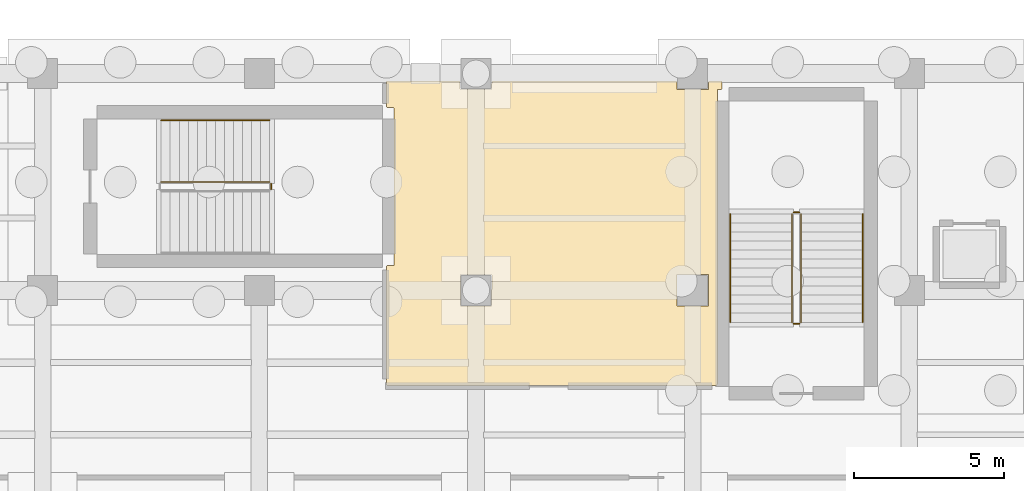
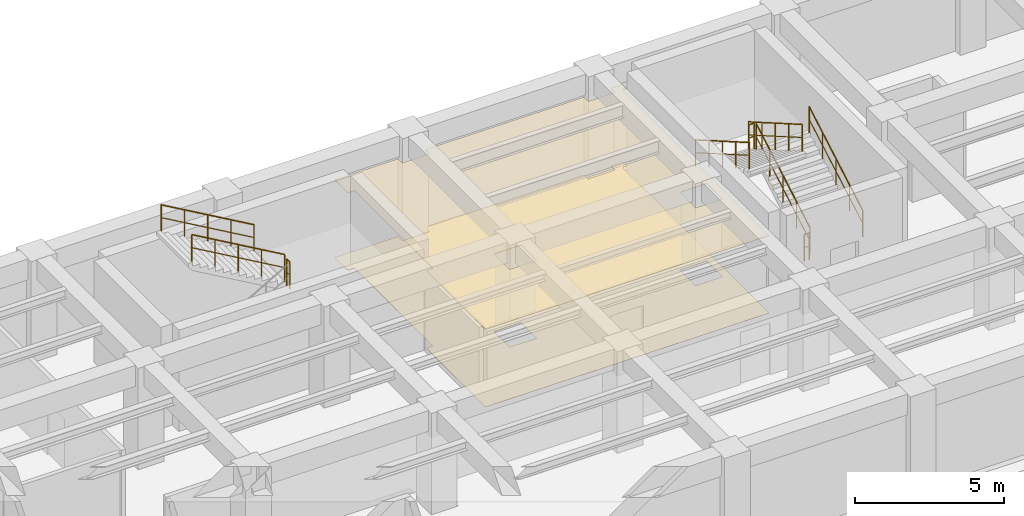
# One storey, part 32 of 34: 9 railings, 2 coverings.
"""IFC4 building model written with IfcOpenShell, lengths in metres."""

import ifcopenshell
import ifcopenshell.guid

model = None  # the IFC model being written
_history = None  # IfcOwnerHistory: only IFC2X3 demands one
_inside = {}  # id of a spatial element -> (the spatial element, [elements in it])
_under = {}  # id of a project, library or spatial element -> (it, [spatial elements below it])
_declared = {}  # id of a project -> (the project, [libraries it declares])
_typed = {}  # id of a type object -> (the type object, [elements of that type])
_made_of = {}  # id of a material, layer set ... -> (it, [elements and type objects made of it])


def new_model(schema):
    """Start an empty IFC model of exactly this schema.

    Asked for "IFC4X3", IfcOpenShell would pick the latest addendum, in which some entities
    have other attributes; the version numbers below select the first issue.
    IFC2X3 requires an IfcOwnerHistory on every rooted entity: one is made here for all.
    """
    global model, _history
    if schema == "IFC4X3":
        model = ifcopenshell.file(schema_version=(4, 3, 0, 0))
    else:
        model = ifcopenshell.file(schema=schema)
    _inside.clear()
    _under.clear()
    _declared.clear()
    _typed.clear()
    _made_of.clear()
    _history = None
    if model.schema == "IFC2X3":
        org = make("IfcOrganization", Name="unknown")
        user = make(
            "IfcPersonAndOrganization",
            ThePerson=make("IfcPerson", FamilyName="unknown"),
            TheOrganization=org,
        )
        app = make(
            "IfcApplication",
            ApplicationDeveloper=org,
            Version="unknown",
            ApplicationFullName="unknown",
            ApplicationIdentifier="unknown",
        )
        _history = make(
            "IfcOwnerHistory",
            OwningUser=user,
            OwningApplication=app,
            ChangeAction="ADDED",
            CreationDate=0,
        )
    return model


def make(cls, **values):
    """One entity of the class cls with the attributes given. An attribute that is None is left unset."""
    return model.create_entity(
        cls, **{name: value for name, value in values.items() if value is not None}
    )


def rooted(cls, **values):
    """An entity with a GlobalId (a new one), such as an element, a storey or a relation."""
    return make(cls, GlobalId=ifcopenshell.guid.new(), OwnerHistory=_history, **values)


def si_unit(unit_type, name, prefix=None):
    """IfcSIUnit, for example si_unit("LENGTHUNIT", "METRE", prefix="MILLI")."""
    return make("IfcSIUnit", UnitType=unit_type, Prefix=prefix, Name=name)


def assignment(units):
    """IfcUnitAssignment: the units of a project."""
    return None if units is None else make("IfcUnitAssignment", Units=units)


def point(xyz):
    """IfcCartesianPoint."""
    return None if xyz is None else make("IfcCartesianPoint", Coordinates=xyz)


def direction(xyz):
    """IfcDirection."""
    return None if xyz is None else make("IfcDirection", DirectionRatios=xyz)


def frame(location, z_axis=None, x_axis=None):
    """IfcAxis2Placement3D, a coordinate frame: its origin and axes. An axis left out is left unset."""
    return make(
        "IfcAxis2Placement3D",
        Location=point(location),
        Axis=direction(z_axis),
        RefDirection=direction(x_axis),
    )


def frame_2d(location, x_axis=None):
    """IfcAxis2Placement2D, a coordinate frame in the plane: its origin and x axis."""
    return make(
        "IfcAxis2Placement2D", Location=point(location), RefDirection=direction(x_axis)
    )


def origin():
    """The frame at (0, 0, 0) with its axes left unset."""
    return frame((0.0, 0.0, 0.0))


def origin_2d():
    """The frame at (0, 0) in the plane with its x axis left unset."""
    return frame_2d((0.0, 0.0))


def place(relative_to, where):
    """IfcLocalPlacement: puts the frame where relative to a parent placement (None: the world)."""
    return make(
        "IfcLocalPlacement", PlacementRelTo=relative_to, RelativePlacement=where
    )


def context(
    kind, dimensions, precision=None, world=None, true_north=None, identifier=None
):
    """IfcGeometricRepresentationContext, for example the 3D "Model" context."""
    return make(
        "IfcGeometricRepresentationContext",
        ContextIdentifier=identifier,
        ContextType=kind,
        CoordinateSpaceDimension=dimensions,
        Precision=precision,
        WorldCoordinateSystem=world,
        TrueNorth=true_north,
    )


def subcontext(parent, identifier, kind, view, scale=None):
    """IfcGeometricRepresentationSubContext, for example "Body" below "Model"."""
    return make(
        "IfcGeometricRepresentationSubContext",
        ContextIdentifier=identifier,
        ContextType=kind,
        ParentContext=parent,
        TargetScale=scale,
        TargetView=view,
    )


def project(units=None, contexts=None):
    """IfcProject with its units and contexts."""
    return rooted(
        "IfcProject",
        Name="project",
        RepresentationContexts=contexts,
        UnitsInContext=assignment(units),
    )


def spatial(cls, under=None, at=None, **own):
    """A site, building, storey or space (cls), placed at a placement, below another one or the project."""
    s = rooted(cls, ObjectPlacement=at, **own)
    if under is not None:
        _under.setdefault(under.id(), (under, []))[1].append(s)
    return s


def polyline(points):
    """IfcPolyline through the points."""
    return make("IfcPolyline", Points=[point(p) for p in points])


def profile(cls, at=None, kind="AREA", **sizes):
    """A parametric profile (cls). Its sizes go by their IFC names, for example OverallWidth=200.0."""
    return make(cls, ProfileType=kind, Position=at, **sizes)


def circle(**sizes):
    """IfcCircleProfileDef."""
    return profile("IfcCircleProfileDef", **sizes)


def outline(outer, holes=None, kind="AREA"):
    """IfcArbitraryClosedProfileDef: a profile drawn as a closed curve; with holes, ...WithVoids."""
    if holes is None:
        return make("IfcArbitraryClosedProfileDef", ProfileType=kind, OuterCurve=outer)
    return make(
        "IfcArbitraryProfileDefWithVoids",
        ProfileType=kind,
        OuterCurve=outer,
        InnerCurves=holes,
    )


def extrude(swept, where, along, depth):
    """IfcExtrudedAreaSolid: the profile swept, set in the frame where, extruded along a direction by depth."""
    return make(
        "IfcExtrudedAreaSolid",
        SweptArea=swept,
        Position=where,
        ExtrudedDirection=direction(along),
        Depth=depth,
    )


def shape(context_of_items, identifier, shape_type, items):
    """IfcShapeRepresentation: the items that make up one representation, for example the "Body"."""
    return make(
        "IfcShapeRepresentation",
        ContextOfItems=context_of_items,
        RepresentationIdentifier=identifier,
        RepresentationType=shape_type,
        Items=items,
    )


def material(Name=None, Category=None):
    """IfcMaterial."""
    return make("IfcMaterial", Name=Name, Category=Category)


def layer(
    of_material, thickness, ventilated=None, Name=None, Category=None, Priority=None
):
    """IfcMaterialLayer: one layer of a wall or slab, of a material (None: an air gap)."""
    return make(
        "IfcMaterialLayer",
        Material=of_material,
        LayerThickness=thickness,
        IsVentilated=ventilated,
        Name=Name,
        Category=Category,
        Priority=Priority,
    )


def layer_set(layers, Name=None):
    """IfcMaterialLayerSet."""
    return make("IfcMaterialLayerSet", MaterialLayers=layers, LayerSetName=Name)


def made_of(thing, what):
    """Note that an element or type object is made of a material, layer set ...; save() writes the relation."""
    if what is not None:
        _made_of.setdefault(what.id(), (what, []))[1].append(thing)
    return thing


def type_object(cls, material=None, **own):
    """A type object (cls), such as IfcWallType, which elements share."""
    return made_of(rooted(cls, **own), material)


def element(
    cls,
    number,
    at=None,
    inside=None,
    cuts=None,
    type_object=None,
    material=None,
    context=None,
    identifier="Body",
    shape_type=None,
    held_by="IfcProductDefinitionShape",
    body=None,
    shapes=None,
    **own,
):
    """One element of the class cls, such as IfcWall. Its Tag is "e" and its number.

    at: its placement. inside: the storey or other place that contains it. cuts: it is an
    opening in that element (IfcRelVoidsElement). A single representation is given by context,
    identifier, shape_type and body (its items); several are given by shapes. held_by: the class
    of the entity that holds the representations. save() writes the other relations.
    """
    e = rooted(cls, Tag="e%d" % number, ObjectPlacement=at, **own)
    if body is not None:
        shapes = [shape(context, identifier, shape_type, body)]
    if shapes is not None:
        e.Representation = make(held_by, Representations=shapes)
    if inside is not None:
        _inside.setdefault(inside.id(), (inside, []))[1].append(e)
    if cuts is not None:
        rooted(
            "IfcRelVoidsElement", RelatingBuildingElement=cuts, RelatedOpeningElement=e
        )
    if type_object is not None:
        _typed.setdefault(type_object.id(), (type_object, []))[1].append(e)
    return made_of(e, material)


def aggregate(whole, parts):
    """IfcRelAggregates: a whole, such as a stair, and the parts it consists of."""
    return rooted("IfcRelAggregates", RelatingObject=whole, RelatedObjects=parts)


def save(model, path):
    """Write the relations noted so far, then the file.

    IfcRelAggregates (storeys below a building ...), IfcRelContainedInSpatialStructure (elements
    in a storey), IfcRelDefinesByType, IfcRelAssociatesMaterial and IfcRelDeclares: one each for
    every whole, place, type object, material and project.
    """
    for whole, parts in _under.values():
        aggregate(whole, parts)
    for where, things in _inside.values():
        rooted(
            "IfcRelContainedInSpatialStructure",
            RelatedElements=things,
            RelatingStructure=where,
        )
    for kind, things in _typed.values():
        rooted("IfcRelDefinesByType", RelatedObjects=things, RelatingType=kind)
    for what, things in _made_of.values():
        rooted("IfcRelAssociatesMaterial", RelatedObjects=things, RelatingMaterial=what)
    for by, libraries in _declared.values():
        rooted("IfcRelDeclares", RelatingContext=by, RelatedDefinitions=libraries)
    model.write(path)


model = new_model("IFC4")

# Units and contexts
model_context = context("Model", 3, precision=1e-05, world=origin(), true_north=direction((0.0, 1.0)))
body_context = subcontext(model_context, "Body", "Model", "MODEL_VIEW")
ifc_project = project(units=[si_unit("LENGTHUNIT", "METRE"), si_unit("AREAUNIT", "SQUARE_METRE"), si_unit("VOLUMEUNIT", "CUBIC_METRE"), si_unit("PLANEANGLEUNIT", "RADIAN"), si_unit("MASSUNIT", "GRAM", prefix="KILO")], contexts=[model_context])

# Site, building, storey
site_placement = place(None, origin())
site = spatial("IfcSite", under=ifc_project, at=site_placement, CompositionType="ELEMENT")
building_placement = place(site_placement, origin())
building = spatial("IfcBuilding", under=site, at=building_placement, Name="Solenvale Faculty of Natural Sciences", CompositionType="ELEMENT")
storey_placement = place(building_placement, frame((0.0, 0.0, -4.5)))
storey = spatial("IfcBuildingStorey", under=building, at=storey_placement, Name="B01", CompositionType="ELEMENT", Elevation=-4.5)

# Coverings
ifc_material_1 = material(Name="Acoustic mineral-timber ceiling", Category="wood")
ifc_layer_1 = layer(ifc_material_1, 0.02490234375)
ifc_layer_set_1 = layer_set([ifc_layer_1], Name="Acoustic mineral-timber ceiling")
covering_type_1 = type_object("IfcCoveringType", Name="COV-CEIL-AC25", PredefinedType="CEILING", material=ifc_layer_set_1)
covering_1_placement = place(storey_placement, frame((0.0, 0.0, 3.1650390625)))
element("IfcCovering", 1, at=covering_1_placement, inside=storey, type_object=covering_type_1, Name="B01 Natural History Herbarium Laboratory Acoustic Ceiling", PredefinedType="CEILING", context=body_context, shape_type="SweptSolid", body=[
    extrude(outline(polyline([(133.820068359375, 51.18994140625), (133.846923828125, 51.219970703125), (134.056884765625, 51.220947265625), (134.080078125, 51.25), (134.080078125, 56.450927734375), (134.054931640625, 56.47998046875), (133.846923828125, 56.47998046875), (133.821044921875, 56.5009765625), (133.820068359375, 57.330078125), (133.8359375, 57.35595703125), (136.248046875, 57.360107421875), (136.27490234375, 57.3330078125), (136.27490234375, 57.0859375), (136.285888671875, 57.074951171875), (137.318115234375, 57.074951171875), (137.324951171875, 57.3330078125), (137.35498046875, 57.360107421875), (143.445068359375, 57.360107421875), (143.47509765625, 57.3330078125), (143.48193359375, 57.074951171875), (144.513916015625, 57.074951171875), (144.52490234375, 57.0859375), (144.52490234375, 57.3330078125), (144.541015625, 57.35595703125), (144.949951171875, 57.360107421875), (144.97607421875, 57.343994140625), (144.97607421875, 57.095947265625), (144.952880859375, 57.080078125), (144.842041015625, 57.0791015625), (144.820068359375, 57.050048828125), (144.820068359375, 47.27001953125), (144.803955078125, 47.243896484375), (133.839111328125, 47.241943359375), (133.820068359375, 47.27001953125), (133.820068359375, 51.18994140625)]), holes=[polyline([(144.52490234375, 50.9140625), (144.513916015625, 50.925048828125), (143.47802734375, 50.922119140625), (143.47802734375, 49.8779296875), (144.52197265625, 49.8779296875), (144.52490234375, 50.9140625)]), polyline([(137.324951171875, 50.9140625), (137.31396484375, 50.925048828125), (136.278076171875, 50.922119140625), (136.278076171875, 49.8779296875), (137.322021484375, 49.8779296875), (137.324951171875, 50.9140625)])]), origin(), (0.0, 0.0, 1.0), 0.02490234375),
])
ifc_material_2 = material(Name="Seamless laboratory vinyl flooring")
ifc_layer_2 = layer(ifc_material_2, 0.008056640625)
ifc_layer_set_2 = layer_set([ifc_layer_2], Name="Seamless laboratory vinyl flooring")
covering_type_2 = type_object("IfcCoveringType", Name="COV-FLR-VNL08", PredefinedType="FLOORING", material=ifc_layer_set_2)
covering_2_placement = place(storey_placement, origin())
element("IfcCovering", 2, at=covering_2_placement, inside=storey, type_object=covering_type_2, Name="B01 Natural History Herbarium Laboratory Floor Finish", PredefinedType="FLOORING", context=body_context, shape_type="SweptSolid", body=[
    extrude(outline(polyline([(133.820068359375, 51.18994140625), (133.846923828125, 51.219970703125), (134.056884765625, 51.220947265625), (134.080078125, 51.25), (134.080078125, 56.450927734375), (134.054931640625, 56.47998046875), (133.846923828125, 56.47998046875), (133.821044921875, 56.5009765625), (133.820068359375, 57.330078125), (133.8359375, 57.35595703125), (136.248046875, 57.360107421875), (136.27490234375, 57.3330078125), (136.27490234375, 57.0859375), (136.285888671875, 57.074951171875), (137.318115234375, 57.074951171875), (137.324951171875, 57.3330078125), (137.35498046875, 57.360107421875), (143.445068359375, 57.360107421875), (143.47509765625, 57.3330078125), (143.48193359375, 57.074951171875), (144.513916015625, 57.074951171875), (144.52490234375, 57.0859375), (144.52490234375, 57.3330078125), (144.541015625, 57.35595703125), (144.949951171875, 57.360107421875), (144.97607421875, 57.343994140625), (144.97607421875, 57.095947265625), (144.952880859375, 57.080078125), (144.842041015625, 57.0791015625), (144.820068359375, 57.050048828125), (144.820068359375, 47.27001953125), (144.803955078125, 47.243896484375), (133.839111328125, 47.241943359375), (133.820068359375, 47.27001953125), (133.820068359375, 51.18994140625)]), holes=[polyline([(144.52490234375, 50.9140625), (144.513916015625, 50.925048828125), (143.47802734375, 50.922119140625), (143.47802734375, 49.8779296875), (144.52197265625, 49.8779296875), (144.52490234375, 50.9140625)]), polyline([(137.324951171875, 50.9140625), (137.31396484375, 50.925048828125), (136.278076171875, 50.922119140625), (136.278076171875, 49.8779296875), (137.322021484375, 49.8779296875), (137.324951171875, 50.9140625)])]), origin(), (0.0, 0.0, 1.0), 0.008056640625),
])

# Railings
ifc_material_3 = material(Name="Stainless steel Grade 304", Category="steel")
railing_type_1 = type_object("IfcRailingType", Name="RL-GRD-1100", PredefinedType="GUARDRAIL", material=ifc_material_3)
railing_1_placement = place(storey_placement, frame((147.60009765625, 49.340087890625, 0.173095703125)))
element("IfcRailing", 3, at=railing_1_placement, inside=storey, type_object=railing_type_1, Name="B01 ST-02 stair guard 1", PredefinedType="GUARDRAIL", context=body_context, shape_type="SweptSolid", body=[
    extrude(circle(Radius=0.02392578125, at=origin_2d()), frame((0.0, 0.0, 1.09619140625), z_axis=(0.0, 0.866178740119, 0.499734319579), x_axis=(-1.0, 0.0, 0.0)), (0.0, 0.0, 1.0), 4.156005859375),
    extrude(circle(Radius=0.01611328125, at=origin_2d()), frame((0.0, 0.0, 0.56005859375), z_axis=(0.0, 0.866178740119, 0.499734319579), x_axis=(-1.0, 0.0, 0.0)), (0.0, 0.0, 1.0), 4.156005859375),
    extrude(circle(Radius=0.02099609375, at=origin_2d()), origin(), (0.0, 0.0, 1.0), 1.072021484375),
    extrude(circle(Radius=0.02099609375, at=origin_2d()), frame((0.0, 0.89990234375, 0.519287109375)), (0.0, 0.0, 1.0), 1.072021484375),
    extrude(circle(Radius=0.02099609375, at=origin_2d()), frame((0.0, 1.7998046875, 1.03857421875)), (0.0, 0.0, 1.0), 1.072021484375),
    extrude(circle(Radius=0.02099609375, at=origin_2d()), frame((0.0, 2.699951171875, 1.5576171875)), (0.0, 0.0, 1.0), 1.072021484375),
    extrude(circle(Radius=0.02099609375, at=origin_2d()), frame((0.0, 3.599853515625, 2.076904296875)), (0.0, 0.0, 1.0), 1.072021484375),
])
railing_2_placement = place(storey_placement, frame((147.550048828125, 52.989990234375, 2.25)))
element("IfcRailing", 4, at=railing_2_placement, inside=storey, type_object=railing_type_1, Name="B01 ST-02 stair guard 2", PredefinedType="GUARDRAIL", context=body_context, shape_type="SweptSolid", body=[
    extrude(circle(Radius=0.02392578125, at=origin_2d()), frame((0.0, 0.0, 1.09619140625), z_axis=(-1.0, 0.0, 0.0), x_axis=(0.0, -1.0, 0.0)), (0.0, 0.0, 1.0), 0.199951171875),
    extrude(circle(Radius=0.01611328125, at=origin_2d()), frame((0.0, 0.0, 0.56005859375), z_axis=(-1.0, 0.0, 0.0), x_axis=(0.0, -1.0, 0.0)), (0.0, 0.0, 1.0), 0.199951171875),
    extrude(circle(Radius=0.02099609375, at=origin_2d()), origin(), (0.0, 0.0, 1.0), 1.072021484375),
    extrude(circle(Radius=0.02099609375, at=origin_2d()), frame((-0.199951171875, 0.0, 0.0)), (0.0, 0.0, 1.0), 1.072021484375),
])
railing_3_placement = place(storey_placement, frame((147.300048828125, 52.93994140625, 2.423095703125)))
element("IfcRailing", 5, at=railing_3_placement, inside=storey, type_object=railing_type_1, Name="B01 ST-02 stair guard 3", PredefinedType="GUARDRAIL", context=body_context, shape_type="SweptSolid", body=[
    extrude(circle(Radius=0.02392578125, at=origin_2d()), frame((0.0, 0.0, 1.09619140625), z_axis=(0.0, -0.866178740119, 0.499734319579), x_axis=(1.0, 0.0, 0.0)), (0.0, 0.0, 1.0), 4.156005859375),
    extrude(circle(Radius=0.01611328125, at=origin_2d()), frame((0.0, 0.0, 0.56005859375), z_axis=(0.0, -0.866178740119, 0.499734319579), x_axis=(1.0, 0.0, 0.0)), (0.0, 0.0, 1.0), 4.156005859375),
    extrude(circle(Radius=0.02099609375, at=origin_2d()), origin(), (0.0, 0.0, 1.0), 1.072021484375),
    extrude(circle(Radius=0.02099609375, at=origin_2d()), frame((0.0, -0.89990234375, 0.519287109375)), (0.0, 0.0, 1.0), 1.072021484375),
    extrude(circle(Radius=0.02099609375, at=origin_2d()), frame((0.0, -1.7998046875, 1.03857421875)), (0.0, 0.0, 1.0), 1.072021484375),
    extrude(circle(Radius=0.02099609375, at=origin_2d()), frame((0.0, -2.699951171875, 1.5576171875)), (0.0, 0.0, 1.0), 1.072021484375),
    extrude(circle(Radius=0.02099609375, at=origin_2d()), frame((0.0, -3.599853515625, 2.076904296875)), (0.0, 0.0, 1.0), 1.072021484375),
])
railing_4_placement = place(storey_placement, frame((147.550048828125, 49.2900390625, 0.0)))
element("IfcRailing", 6, at=railing_4_placement, inside=storey, type_object=railing_type_1, Name="B01 ST-02 stair guard 4", PredefinedType="GUARDRAIL", context=body_context, shape_type="SweptSolid", body=[
    extrude(circle(Radius=0.02392578125, at=origin_2d()), frame((0.0, 0.0, 1.09619140625), z_axis=(-1.0, 0.0, 0.0), x_axis=(0.0, -1.0, 0.0)), (0.0, 0.0, 1.0), 0.199951171875),
    extrude(circle(Radius=0.01611328125, at=origin_2d()), frame((0.0, 0.0, 0.56005859375), z_axis=(-1.0, 0.0, 0.0), x_axis=(0.0, -1.0, 0.0)), (0.0, 0.0, 1.0), 0.199951171875),
    extrude(circle(Radius=0.02099609375, at=origin_2d()), origin(), (0.0, 0.0, 1.0), 1.072021484375),
    extrude(circle(Radius=0.02099609375, at=origin_2d()), frame((-0.199951171875, 0.0, 0.0)), (0.0, 0.0, 1.0), 1.072021484375),
])
railing_5_placement = place(storey_placement, frame((129.989990234375, 53.75, 2.25)))
element("IfcRailing", 7, at=railing_5_placement, inside=storey, type_object=railing_type_1, Name="B01 ST-08 stair guard 2", PredefinedType="GUARDRAIL", context=body_context, shape_type="SweptSolid", body=[
    extrude(circle(Radius=0.02392578125, at=origin_2d()), frame((0.0, 0.0, 1.09619140625), z_axis=(0.0, 1.0, 0.0), x_axis=(-1.0, 0.0, 0.0)), (0.0, 0.0, 1.0), 0.199951171875),
    extrude(circle(Radius=0.01611328125, at=origin_2d()), frame((0.0, 0.0, 0.56005859375), z_axis=(0.0, 1.0, 0.0), x_axis=(-1.0, 0.0, 0.0)), (0.0, 0.0, 1.0), 0.199951171875),
    extrude(circle(Radius=0.02099609375, at=origin_2d()), origin(), (0.0, 0.0, 1.0), 1.072021484375),
    extrude(circle(Radius=0.02099609375, at=origin_2d()), frame((0.0, 0.199951171875, 0.0)), (0.0, 0.0, 1.0), 1.072021484375),
])
railing_6_placement = place(storey_placement, frame((129.93994140625, 54.0, 2.423095703125)))
element("IfcRailing", 8, at=railing_6_placement, inside=storey, type_object=railing_type_1, Name="B01 ST-08 stair guard 3", PredefinedType="GUARDRAIL", context=body_context, shape_type="SweptSolid", body=[
    extrude(circle(Radius=0.02392578125, at=origin_2d()), frame((0.0, 0.0, 1.09619140625), z_axis=(-0.866178740119, 0.0, 0.499734319579), x_axis=(0.0, -1.0, 0.0)), (0.0, 0.0, 1.0), 4.156005859375),
    extrude(circle(Radius=0.01611328125, at=origin_2d()), frame((0.0, 0.0, 0.56005859375), z_axis=(-0.866178740119, 0.0, 0.499734319579), x_axis=(0.0, -1.0, 0.0)), (0.0, 0.0, 1.0), 4.156005859375),
    extrude(circle(Radius=0.02099609375, at=origin_2d()), origin(), (0.0, 0.0, 1.0), 1.072021484375),
    extrude(circle(Radius=0.02099609375, at=origin_2d()), frame((-0.89990234375, 0.0, 0.519287109375)), (0.0, 0.0, 1.0), 1.072021484375),
    extrude(circle(Radius=0.02099609375, at=origin_2d()), frame((-1.7998046875, 0.0, 1.03857421875)), (0.0, 0.0, 1.0), 1.072021484375),
    extrude(circle(Radius=0.02099609375, at=origin_2d()), frame((-2.699951171875, 0.0, 1.5576171875)), (0.0, 0.0, 1.0), 1.072021484375),
    extrude(circle(Radius=0.02099609375, at=origin_2d()), frame((-3.599853515625, 0.0, 2.076904296875)), (0.0, 0.0, 1.0), 1.072021484375),
])
railing_type_2 = type_object("IfcRailingType", Name="RL-HND-900", PredefinedType="HANDRAIL", material=ifc_material_3)
railing_7_placement = place(storey_placement, frame((149.64990234375, 49.340087890625, 0.173095703125)))
element("IfcRailing", 9, at=railing_7_placement, inside=storey, type_object=railing_type_2, Name="B01 ST-02 stair handrail 1", PredefinedType="HANDRAIL", context=body_context, shape_type="SweptSolid", body=[
    extrude(circle(Radius=0.02392578125, at=origin_2d()), frame((0.0, 0.0, 1.0732421875), z_axis=(0.0, 0.866178740119, 0.499734319579), x_axis=(-1.0, 0.0, 0.0)), (0.0, 0.0, 1.0), 4.156005859375),
    extrude(circle(Radius=0.01611328125, at=origin_2d()), frame((0.0, 0.0, 0.548583984375), z_axis=(0.0, 0.866178740119, 0.499734319579), x_axis=(-1.0, 0.0, 0.0)), (0.0, 0.0, 1.0), 4.156005859375),
    extrude(circle(Radius=0.02099609375, at=origin_2d()), origin(), (0.0, 0.0, 1.0), 1.049072265625),
    extrude(circle(Radius=0.02099609375, at=origin_2d()), frame((0.0, 0.89990234375, 0.519287109375)), (0.0, 0.0, 1.0), 1.049072265625),
    extrude(circle(Radius=0.02099609375, at=origin_2d()), frame((0.0, 1.7998046875, 1.03857421875)), (0.0, 0.0, 1.0), 1.049072265625),
    extrude(circle(Radius=0.02099609375, at=origin_2d()), frame((0.0, 2.699951171875, 1.5576171875)), (0.0, 0.0, 1.0), 1.049072265625),
    extrude(circle(Radius=0.02099609375, at=origin_2d()), frame((0.0, 3.599853515625, 2.076904296875)), (0.0, 0.0, 1.0), 1.049072265625),
])
railing_8_placement = place(storey_placement, frame((145.25, 52.93994140625, 2.423095703125)))
element("IfcRailing", 10, at=railing_8_placement, inside=storey, type_object=railing_type_2, Name="B01 ST-02 stair handrail 2", PredefinedType="HANDRAIL", context=body_context, shape_type="SweptSolid", body=[
    extrude(circle(Radius=0.02392578125, at=origin_2d()), frame((0.0, 0.0, 1.0732421875), z_axis=(0.0, -0.866178740119, 0.499734319579), x_axis=(1.0, 0.0, 0.0)), (0.0, 0.0, 1.0), 4.156005859375),
    extrude(circle(Radius=0.01611328125, at=origin_2d()), frame((0.0, 0.0, 0.548583984375), z_axis=(0.0, -0.866178740119, 0.499734319579), x_axis=(1.0, 0.0, 0.0)), (0.0, 0.0, 1.0), 4.156005859375),
    extrude(circle(Radius=0.02099609375, at=origin_2d()), origin(), (0.0, 0.0, 1.0), 1.049072265625),
    extrude(circle(Radius=0.02099609375, at=origin_2d()), frame((0.0, -0.89990234375, 0.519287109375)), (0.0, 0.0, 1.0), 1.049072265625),
    extrude(circle(Radius=0.02099609375, at=origin_2d()), frame((0.0, -1.7998046875, 1.03857421875)), (0.0, 0.0, 1.0), 1.049072265625),
    extrude(circle(Radius=0.02099609375, at=origin_2d()), frame((0.0, -2.699951171875, 1.5576171875)), (0.0, 0.0, 1.0), 1.049072265625),
    extrude(circle(Radius=0.02099609375, at=origin_2d()), frame((0.0, -3.599853515625, 2.076904296875)), (0.0, 0.0, 1.0), 1.049072265625),
])
railing_9_placement = place(storey_placement, frame((129.93994140625, 56.050048828125, 2.423095703125)))
element("IfcRailing", 11, at=railing_9_placement, inside=storey, type_object=railing_type_2, Name="B01 ST-08 stair handrail 2", PredefinedType="HANDRAIL", context=body_context, shape_type="SweptSolid", body=[
    extrude(circle(Radius=0.02392578125, at=origin_2d()), frame((0.0, 0.0, 1.0732421875), z_axis=(-0.866178740119, 0.0, 0.499734319579), x_axis=(0.0, -1.0, 0.0)), (0.0, 0.0, 1.0), 4.156005859375),
    extrude(circle(Radius=0.01611328125, at=origin_2d()), frame((0.0, 0.0, 0.548583984375), z_axis=(-0.866178740119, 0.0, 0.499734319579), x_axis=(0.0, -1.0, 0.0)), (0.0, 0.0, 1.0), 4.156005859375),
    extrude(circle(Radius=0.02099609375, at=origin_2d()), origin(), (0.0, 0.0, 1.0), 1.049072265625),
    extrude(circle(Radius=0.02099609375, at=origin_2d()), frame((-0.89990234375, 0.0, 0.519287109375)), (0.0, 0.0, 1.0), 1.049072265625),
    extrude(circle(Radius=0.02099609375, at=origin_2d()), frame((-1.7998046875, 0.0, 1.03857421875)), (0.0, 0.0, 1.0), 1.049072265625),
    extrude(circle(Radius=0.02099609375, at=origin_2d()), frame((-2.699951171875, 0.0, 1.5576171875)), (0.0, 0.0, 1.0), 1.049072265625),
    extrude(circle(Radius=0.02099609375, at=origin_2d()), frame((-3.599853515625, 0.0, 2.076904296875)), (0.0, 0.0, 1.0), 1.049072265625),
])

save(model, "model.ifc")
